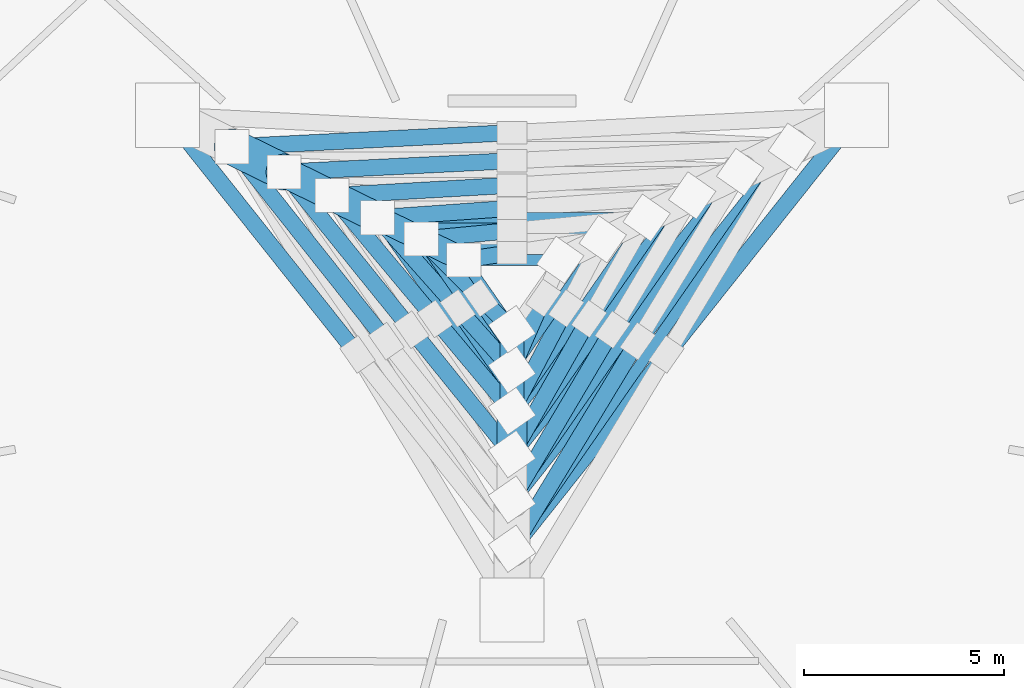
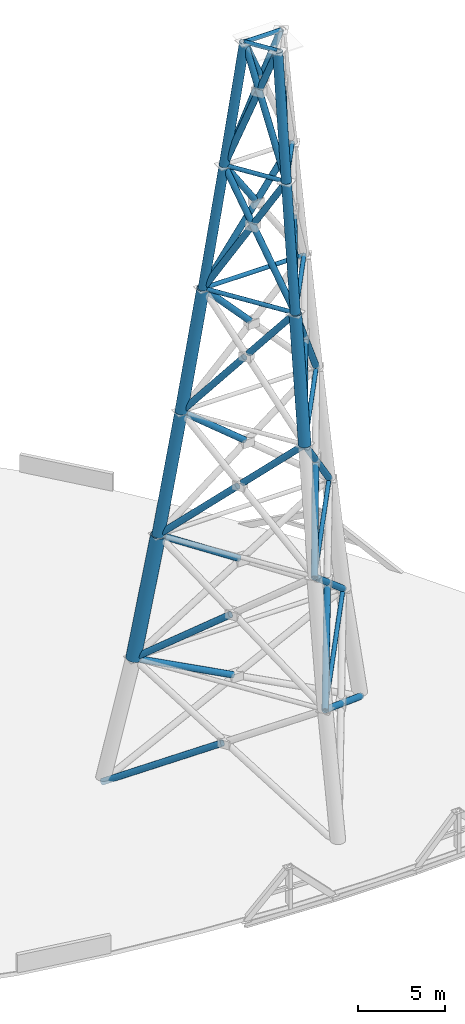
# One storey, part 2 of 7: 47 members.
"""IFC4 building model written with IfcOpenShell, lengths in metres."""

from ifc_helpers import new_model, si_unit, direction, frame, origin, origin_2d, place, context, subcontext, project, spatial, hollow_circle, extrude, source, transform, mapped, material, material_profile, profile_set, type_object, element, save


model = new_model("IFC4")

# Units and contexts
model_context = context("Model", 3, precision=1e-05, world=origin(), true_north=direction((0.0, 1.0)))
body_context = subcontext(model_context, "Body", "Model", "MODEL_VIEW")
ifc_project = project(units=[si_unit("LENGTHUNIT", "METRE"), si_unit("AREAUNIT", "SQUARE_METRE"), si_unit("VOLUMEUNIT", "CUBIC_METRE"), si_unit("PLANEANGLEUNIT", "RADIAN"), si_unit("MASSUNIT", "GRAM", prefix="KILO"), si_unit("THERMODYNAMICTEMPERATUREUNIT", "KELVIN"), si_unit("POWERUNIT", "WATT")], contexts=[model_context])

# Site, building, storey
site_placement = place(None, origin())
site = spatial("IfcSite", under=ifc_project, at=site_placement, CompositionType="ELEMENT")
building_placement = place(site_placement, origin())
building = spatial("IfcBuilding", under=site, at=building_placement, Name="Yunzhuo Pagoda Commons", CompositionType="ELEMENT")
storey_placement = place(building_placement, frame((0.0, 0.0, 401.760009765625)))
storey = spatial("IfcBuildingStorey", under=building, at=storey_placement, Name="Roof", CompositionType="ELEMENT", Elevation=401.760009765625)

# Members
ifc_material = material(Name="Structural steel Q420B", Category="steel")
ifc_material_profile_1 = material_profile(ifc_material, hollow_circle(Radius=0.202880859375, WallThickness=0.01611328125, at=origin_2d()), Name="Structural steel Q420B")
ifc_profile_set_1 = profile_set([ifc_material_profile_1], Name="Structural steel Q420B")
member_type_1 = type_object("IfcMemberType", Name="M-MB1 Mast Brace CHS 406x16", PredefinedType="BRACE", material=ifc_profile_set_1)
shared_shape_1 = source(origin(), body_context, "Body", "SweptSolid", [
    extrude(hollow_circle(Radius=0.202880859375, WallThickness=0.01611328125, at=origin_2d()), origin(), (0.0, 0.0, 1.0), 7.77783203125),
])
member_1_placement = place(storey_placement, frame((47.81201171875, 39.406005859375, 4.580810546875), z_axis=(-0.874198612199, -0.0441650789, 0.483555821218), x_axis=(0.05045629665, -0.99872626987, 0.0)))
element("IfcMember", 1, at=member_1_placement, inside=storey, type_object=member_type_1, Name="Broadcast mast upper split brace T1.1B2", PredefinedType="BRACE", context=body_context, shape_type="MappedRepresentation", body=[
    mapped(shared_shape_1, transform((0.0, 0.0, 0.0), scale=1.0)),
])
ifc_material_profile_2 = material_profile(ifc_material, hollow_circle(Radius=0.136474609375, WallThickness=0.011962890625, at=origin_2d()), Name="Structural steel Q420B")
ifc_profile_set_2 = profile_set([ifc_material_profile_2], Name="Structural steel Q420B")
member_type_2 = type_object("IfcMemberType", Name="M-MC1 Mast Collar CHS 273x12", PredefinedType="COLLAR", material=ifc_profile_set_2)
shared_shape_2 = source(origin(), body_context, "Body", "SweptSolid", [
    extrude(hollow_circle(Radius=0.136474609375, WallThickness=0.011962890625, at=origin_2d()), origin(), (0.0, 0.0, 1.0), 12.227294921875),
])
member_2_placement = place(storey_placement, frame((54.9873046875, 39.0625, 8.341796875), z_axis=(-0.571450535102, -0.820636512673, 0.0), x_axis=(0.820636512673, -0.571450535102, 0.0)))
element("IfcMember", 2, at=member_2_placement, inside=storey, type_object=member_type_2, Name="Broadcast mast collar ring T1.2", PredefinedType="COLLAR", context=body_context, shape_type="MappedRepresentation", body=[
    mapped(shared_shape_2, transform((0.0, 0.0, 0.0), scale=1.0)),
])
shared_shape_3 = source(origin(), body_context, "Body", "SweptSolid", [
    extrude(hollow_circle(Radius=0.202880859375, WallThickness=0.01611328125, at=origin_2d()), origin(), (0.0, 0.0, 1.0), 16.291259765625),
])
member_3_placement = place(storey_placement, frame((56.60009765625, 39.85009765625, -0.27978515625), z_axis=(-0.527897335238, -0.664270064207, 0.529216104485), x_axis=(0.782887665067, -0.622163084638, 0.0)))
element("IfcMember", 3, at=member_3_placement, inside=storey, type_object=member_type_1, Name="Broadcast mast diagonal brace T1.2A", PredefinedType="BRACE", context=body_context, shape_type="MappedRepresentation", body=[
    mapped(shared_shape_3, transform((0.0, 0.0, 0.0), scale=1.0)),
])
shared_shape_4 = source(origin(), body_context, "Body", "SweptSolid", [
    extrude(hollow_circle(Radius=0.202880859375, WallThickness=0.01611328125, at=origin_2d()), origin(), (0.0, 0.0, 1.0), 8.7734375),
])
member_4_placement = place(storey_placement, frame((39.39990234375, 39.85009765625, -0.27978515625), z_axis=(0.527916110977, -0.66427101814, 0.529196177452), x_axis=(0.782877321873, 0.622176099587, 0.0)))
element("IfcMember", 4, at=member_4_placement, inside=storey, type_object=member_type_1, Name="Broadcast mast lower split brace T1.3B1", PredefinedType="BRACE", context=body_context, shape_type="MappedRepresentation", body=[
    mapped(shared_shape_4, transform((0.0, 0.0, 0.0), scale=1.0)),
])
ifc_material_profile_3 = material_profile(ifc_material, hollow_circle(Radius=0.449951171875, WallThickness=0.031982421875, at=origin_2d()), Name="Structural steel Q420B")
ifc_profile_set_3 = profile_set([ifc_material_profile_3], Name="Structural steel Q420B")
member_type_3 = type_object("IfcMemberType", Name="M-ML1 Mast Strut CHS 900x32", PredefinedType="STRUT", material=ifc_profile_set_3)
shared_shape_5 = source(origin(), body_context, "Body", "SweptSolid", [
    extrude(hollow_circle(Radius=0.449951171875, WallThickness=0.031982421875, at=origin_2d()), origin(), (0.0, 0.0, 1.0), 8.740966796875),
])
member_5_placement = place(storey_placement, frame((41.0126953125, 39.0625, 8.341796875), z_axis=(0.148058641284, -0.072311605788, 0.986331420167), x_axis=(0.438854395735, 0.898558189181, 0.0)))
element("IfcMember", 5, at=member_5_placement, inside=storey, type_object=member_type_3, Name="Broadcast mast leg T2.1", PredefinedType="STRUT", context=body_context, shape_type="MappedRepresentation", body=[
    mapped(shared_shape_5, transform((0.0, 0.0, 0.0), scale=1.0)),
])
shared_shape_6 = source(origin(), body_context, "Body", "SweptSolid", [
    extrude(hollow_circle(Radius=0.202880859375, WallThickness=0.01611328125, at=origin_2d()), origin(), (0.0, 0.0, 1.0), 6.67529296875),
])
member_6_placement = place(storey_placement, frame((47.822509765625, 38.705078125, 13.21337890625), z_axis=(-0.826269774212, -0.041145250354, 0.561769818161), x_axis=(0.049734763126, -0.998762460917, 0.0)))
element("IfcMember", 6, at=member_6_placement, inside=storey, type_object=member_type_1, Name="Broadcast mast upper split brace T2.1B2", PredefinedType="BRACE", context=body_context, shape_type="MappedRepresentation", body=[
    mapped(shared_shape_6, transform((0.0, 0.0, 0.0), scale=1.0)),
])
shared_shape_7 = source(origin(), body_context, "Body", "SweptSolid", [
    extrude(hollow_circle(Radius=0.136474609375, WallThickness=0.011962890625, at=origin_2d()), origin(), (0.0, 0.0, 1.0), 9.96240234375),
])
member_7_placement = place(storey_placement, frame((53.693115234375, 38.430419921875, 16.96337890625), z_axis=(-0.571455739093, -0.820632888847, 0.0), x_axis=(0.820632888847, -0.571455739093, 0.0)))
element("IfcMember", 7, at=member_7_placement, inside=storey, type_object=member_type_2, Name="Broadcast mast collar ring T2.2", PredefinedType="COLLAR", context=body_context, shape_type="MappedRepresentation", body=[
    mapped(shared_shape_7, transform((0.0, 0.0, 0.0), scale=1.0)),
])
shared_shape_8 = source(origin(), body_context, "Body", "SweptSolid", [
    extrude(hollow_circle(Radius=0.202880859375, WallThickness=0.01611328125, at=origin_2d()), origin(), (0.0, 0.0, 1.0), 14.16796875),
])
member_8_placement = place(storey_placement, frame((54.9873046875, 39.0625, 8.341796875), z_axis=(-0.49318000466, -0.621661839557, 0.608531051173), x_axis=(0.783413091828, -0.621501349598, 0.0)))
element("IfcMember", 8, at=member_8_placement, inside=storey, type_object=member_type_1, Name="Broadcast mast diagonal brace T2.2A", PredefinedType="BRACE", context=body_context, shape_type="MappedRepresentation", body=[
    mapped(shared_shape_8, transform((0.0, 0.0, 0.0), scale=1.0)),
])
shared_shape_9 = source(origin(), body_context, "Body", "SweptSolid", [
    extrude(hollow_circle(Radius=0.202880859375, WallThickness=0.01611328125, at=origin_2d()), origin(), (0.0, 0.0, 1.0), 7.482421875),
])
member_9_placement = place(storey_placement, frame((48.0, 29.0283203125, 8.341796875), z_axis=(0.407532448622, 0.673064799854, 0.617171838726), x_axis=(-0.855414986359, 0.517943241207, 0.0)))
element("IfcMember", 9, at=member_9_placement, inside=storey, type_object=member_type_1, Name="Broadcast mast lower split brace T2.2B1", PredefinedType="BRACE", context=body_context, shape_type="MappedRepresentation", body=[
    mapped(shared_shape_9, transform((0.0, 0.0, 0.0), scale=1.0)),
])
shared_shape_10 = source(origin(), body_context, "Body", "SweptSolid", [
    extrude(hollow_circle(Radius=0.202880859375, WallThickness=0.01611328125, at=origin_2d()), origin(), (0.0, 0.0, 1.0), 7.592041015625),
])
member_10_placement = place(storey_placement, frame((41.0126953125, 39.0625, 8.341796875), z_axis=(0.49317275512, -0.621675515257, 0.608522955473), x_axis=(0.783424196646, 0.621487351529, 0.0)))
element("IfcMember", 10, at=member_10_placement, inside=storey, type_object=member_type_1, Name="Broadcast mast lower split brace T2.3B1", PredefinedType="BRACE", context=body_context, shape_type="MappedRepresentation", body=[
    mapped(shared_shape_10, transform((0.0, 0.0, 0.0), scale=1.0)),
])
ifc_material_profile_4 = material_profile(ifc_material, hollow_circle(Radius=0.375, WallThickness=0.028076171875, at=origin_2d()), Name="Structural steel Q420B")
ifc_profile_set_4 = profile_set([ifc_material_profile_4], Name="Structural steel Q420B")
member_type_4 = type_object("IfcMemberType", Name="M-ML2 Mast Strut CHS 750x28", PredefinedType="STRUT", material=ifc_profile_set_4)
shared_shape_11 = source(origin(), body_context, "Body", "SweptSolid", [
    extrude(hollow_circle(Radius=0.375, WallThickness=0.028076171875, at=origin_2d()), origin(), (0.0, 0.0, 1.0), 8.723876953125),
])
member_11_placement = place(storey_placement, frame((42.306884765625, 38.430419921875, 16.96337890625), z_axis=(0.137129876321, -0.066969753885, 0.988286622941), x_axis=(0.438831855094, 0.898569197644, 0.0)))
element("IfcMember", 11, at=member_11_placement, inside=storey, type_object=member_type_4, Name="Broadcast mast leg T3.1", PredefinedType="STRUT", context=body_context, shape_type="MappedRepresentation", body=[
    mapped(shared_shape_11, transform((0.0, 0.0, 0.0), scale=1.0)),
])
shared_shape_12 = source(origin(), body_context, "Body", "SweptSolid", [
    extrude(hollow_circle(Radius=0.202880859375, WallThickness=0.01611328125, at=origin_2d()), origin(), (0.0, 0.0, 1.0), 5.68115234375),
])
member_12_placement = place(storey_placement, frame((47.836181640625, 38.094482421875, 21.9189453125), z_axis=(-0.762689493673, -0.043703809729, 0.645286535778), x_axis=(0.057208385038, -0.998362259243, 0.0)))
element("IfcMember", 12, at=member_12_placement, inside=storey, type_object=member_type_1, Name="Broadcast mast upper split brace T3.1B2", PredefinedType="BRACE", context=body_context, shape_type="MappedRepresentation", body=[
    mapped(shared_shape_12, transform((0.0, 0.0, 0.0), scale=1.0)),
])
shared_shape_13 = source(origin(), body_context, "Body", "SweptSolid", [
    extrude(hollow_circle(Radius=0.136474609375, WallThickness=0.011962890625, at=origin_2d()), origin(), (0.0, 0.0, 1.0), 7.869140625),
])
member_13_placement = place(storey_placement, frame((52.496826171875, 37.84619140625, 25.5849609375), z_axis=(-0.57144711893, -0.820638891515, 0.0), x_axis=(0.820638891515, -0.57144711893, 0.0)))
element("IfcMember", 13, at=member_13_placement, inside=storey, type_object=member_type_2, Name="Broadcast mast collar ring T3.2", PredefinedType="COLLAR", context=body_context, shape_type="MappedRepresentation", body=[
    mapped(shared_shape_13, transform((0.0, 0.0, 0.0), scale=1.0)),
])
shared_shape_14 = source(origin(), body_context, "Body", "SweptSolid", [
    extrude(hollow_circle(Radius=0.202880859375, WallThickness=0.01611328125, at=origin_2d()), origin(), (0.0, 0.0, 1.0), 12.50341796875),
])
member_14_placement = place(storey_placement, frame((53.693115234375, 38.430419921875, 16.96337890625), z_axis=(-0.455328457234, -0.563210001306, 0.68954368278), x_axis=(0.777652182437, -0.628694745605, 0.0)))
element("IfcMember", 14, at=member_14_placement, inside=storey, type_object=member_type_1, Name="Broadcast mast diagonal brace T3.2A", PredefinedType="BRACE", context=body_context, shape_type="MappedRepresentation", body=[
    mapped(shared_shape_14, transform((0.0, 0.0, 0.0), scale=1.0)),
])
shared_shape_15 = source(origin(), body_context, "Body", "SweptSolid", [
    extrude(hollow_circle(Radius=0.202880859375, WallThickness=0.01611328125, at=origin_2d()), origin(), (0.0, 0.0, 1.0), 6.67724609375),
])
member_15_placement = place(storey_placement, frame((48.0, 30.2548828125, 16.96337890625), z_axis=(0.364532369337, 0.615390602639, 0.698863762037), x_axis=(-0.860379538463, 0.509653852919, 0.0)))
element("IfcMember", 15, at=member_15_placement, inside=storey, type_object=member_type_1, Name="Broadcast mast lower split brace T3.2B1", PredefinedType="BRACE", context=body_context, shape_type="MappedRepresentation", body=[
    mapped(shared_shape_15, transform((0.0, 0.0, 0.0), scale=1.0)),
])
shared_shape_16 = source(origin(), body_context, "Body", "SweptSolid", [
    extrude(hollow_circle(Radius=0.202880859375, WallThickness=0.01611328125, at=origin_2d()), origin(), (0.0, 0.0, 1.0), 6.7705078125),
])
member_16_placement = place(storey_placement, frame((42.306884765625, 38.430419921875, 16.96337890625), z_axis=(0.455354400656, -0.563171129985, 0.689558299315), x_axis=(0.777613452865, 0.628742648405, 0.0)))
element("IfcMember", 16, at=member_16_placement, inside=storey, type_object=member_type_1, Name="Broadcast mast lower split brace T3.3B1", PredefinedType="BRACE", context=body_context, shape_type="MappedRepresentation", body=[
    mapped(shared_shape_16, transform((0.0, 0.0, 0.0), scale=1.0)),
])
shared_shape_17 = source(origin(), body_context, "Body", "SweptSolid", [
    extrude(hollow_circle(Radius=0.202880859375, WallThickness=0.01611328125, at=origin_2d()), origin(), (0.0, 0.0, 1.0), 5.302734375),
])
member_17_placement = place(storey_placement, frame((45.585693359375, 34.375, 21.928466796875), z_axis=(0.455299128268, -0.563219156244, 0.689555571247), x_axis=(0.777676977253, 0.628664074884, 0.0)))
element("IfcMember", 17, at=member_17_placement, inside=storey, type_object=member_type_1, Name="Broadcast mast upper split brace T3.3B2", PredefinedType="BRACE", context=body_context, shape_type="MappedRepresentation", body=[
    mapped(shared_shape_17, transform((0.0, 0.0, 0.0), scale=1.0)),
])
shared_shape_18 = source(origin(), body_context, "Body", "SweptSolid", [
    extrude(hollow_circle(Radius=0.375, WallThickness=0.028076171875, at=origin_2d()), origin(), (0.0, 0.0, 1.0), 8.714111328125),
])
member_18_placement = place(storey_placement, frame((43.503173828125, 37.84619140625, 25.5849609375), z_axis=(0.130445316237, -0.063709761409, 0.989406431035), x_axis=(0.438857041245, 0.898556897113, 0.0)))
element("IfcMember", 18, at=member_18_placement, inside=storey, type_object=member_type_4, Name="Broadcast mast leg T4.1", PredefinedType="STRUT", context=body_context, shape_type="MappedRepresentation", body=[
    mapped(shared_shape_18, transform((0.0, 0.0, 0.0), scale=1.0)),
])
shared_shape_19 = source(origin(), body_context, "Body", "SweptSolid", [
    extrude(hollow_circle(Radius=0.136474609375, WallThickness=0.011962890625, at=origin_2d()), origin(), (0.0, 0.0, 1.0), 6.72021484375),
])
member_19_placement = place(storey_placement, frame((44.639892578125, 37.291015625, 34.206787109375), z_axis=(1.0, 0.0, 0.0), x_axis=(0.0, 1.0, 0.0)))
element("IfcMember", 19, at=member_19_placement, inside=storey, type_object=member_type_2, Name="Broadcast mast collar ring T4.1", PredefinedType="COLLAR", context=body_context, shape_type="MappedRepresentation", body=[
    mapped(shared_shape_19, transform((0.0, 0.0, 0.0), scale=1.0)),
])
shared_shape_20 = source(origin(), body_context, "Body", "SweptSolid", [
    extrude(hollow_circle(Radius=0.202880859375, WallThickness=0.01611328125, at=origin_2d()), origin(), (0.0, 0.0, 1.0), 4.779296875),
])
member_20_placement = place(storey_placement, frame((47.855224609375, 37.5185546875, 30.67822265625), z_axis=(-0.672774015538, -0.047610127751, 0.738314566938), x_axis=(0.07059035859, -0.997505389095, 0.0)))
element("IfcMember", 20, at=member_20_placement, inside=storey, type_object=member_type_1, Name="Broadcast mast upper split brace T4.1B2", PredefinedType="BRACE", context=body_context, shape_type="MappedRepresentation", body=[
    mapped(shared_shape_20, transform((0.0, 0.0, 0.0), scale=1.0)),
])
shared_shape_21 = source(origin(), body_context, "Body", "SweptSolid", [
    extrude(hollow_circle(Radius=0.136474609375, WallThickness=0.011962890625, at=origin_2d()), origin(), (0.0, 0.0, 1.0), 5.8798828125),
])
for number, where, z_axis, x_axis, name in (
    (21, (51.360107421875, 37.291015625, 34.206787109375), (-0.571459801433, -0.820630059982, 0.0), (0.820630059982, -0.571459801433, 0.0), "Broadcast mast collar ring T4.2"),
    (22, (48.0, 32.4658203125, 34.206787109375), (-0.571459801433, 0.820630059982, 0.0), (-0.820630059982, -0.571459801433, 0.0), "Broadcast mast collar ring T4.3"),
):
    element("IfcMember", number, at=place(storey_placement, frame(where, z_axis=z_axis, x_axis=x_axis)), inside=storey, type_object=member_type_2, Name=name, PredefinedType="COLLAR", context=body_context, shape_type="MappedRepresentation", body=[
        mapped(shared_shape_21, transform((0.0, 0.0, 0.0), scale=1.0)),
    ])
shared_shape_22 = source(origin(), body_context, "Body", "SweptSolid", [
    extrude(hollow_circle(Radius=0.202880859375, WallThickness=0.01611328125, at=origin_2d()), origin(), (0.0, 0.0, 1.0), 11.11328125),
])
member_21_placement = place(storey_placement, frame((52.496826171875, 37.84619140625, 25.5849609375), z_axis=(-0.404634170052, -0.484137458038, 0.775810614874), x_axis=(0.767295831559, -0.64129330799, 0.0)))
element("IfcMember", 23, at=member_21_placement, inside=storey, type_object=member_type_1, Name="Broadcast mast diagonal brace T4.2A", PredefinedType="BRACE", context=body_context, shape_type="MappedRepresentation", body=[
    mapped(shared_shape_22, transform((0.0, 0.0, 0.0), scale=1.0)),
])
shared_shape_23 = source(origin(), body_context, "Body", "SweptSolid", [
    extrude(hollow_circle(Radius=0.202880859375, WallThickness=0.01611328125, at=origin_2d()), origin(), (0.0, 0.0, 1.0), 6.06689453125),
])
member_22_placement = place(storey_placement, frame((48.0, 31.388427734375, 25.5849609375), z_axis=(0.306160397313, 0.537792790444, 0.785521944737), x_axis=(-0.869042364556, 0.494737676559, 0.0)))
element("IfcMember", 24, at=member_22_placement, inside=storey, type_object=member_type_1, Name="Broadcast mast lower split brace T4.2B1", PredefinedType="BRACE", context=body_context, shape_type="MappedRepresentation", body=[
    mapped(shared_shape_23, transform((0.0, 0.0, 0.0), scale=1.0)),
])
shared_shape_24 = source(origin(), body_context, "Body", "SweptSolid", [
    extrude(hollow_circle(Radius=0.375, WallThickness=0.028076171875, at=origin_2d()), origin(), (0.0, 0.0, 1.0), 8.68896484375),
])
member_23_placement = place(storey_placement, frame((48.0, 31.388427734375, 25.5849609375), z_axis=(0.0, 0.123996694061, 0.992282631039), x_axis=(-1.0, 0.0, 0.0)))
element("IfcMember", 25, at=member_23_placement, inside=storey, type_object=member_type_4, Name="Broadcast mast leg T4.3", PredefinedType="STRUT", context=body_context, shape_type="MappedRepresentation", body=[
    mapped(shared_shape_24, transform((0.0, 0.0, 0.0), scale=1.0)),
])
shared_shape_25 = source(origin(), body_context, "Body", "SweptSolid", [
    extrude(hollow_circle(Radius=0.202880859375, WallThickness=0.01611328125, at=origin_2d()), origin(), (0.0, 0.0, 1.0), 6.145751953125),
])
member_24_placement = place(storey_placement, frame((43.503173828125, 37.84619140625, 25.5849609375), z_axis=(0.404646444646, -0.484137661584, 0.775804085753), x_axis=(0.767286391865, 0.641304602243, 0.0)))
element("IfcMember", 26, at=member_24_placement, inside=storey, type_object=member_type_1, Name="Broadcast mast lower split brace T4.3B1", PredefinedType="BRACE", context=body_context, shape_type="MappedRepresentation", body=[
    mapped(shared_shape_25, transform((0.0, 0.0, 0.0), scale=1.0)),
])
shared_shape_26 = source(origin(), body_context, "Body", "SweptSolid", [
    extrude(hollow_circle(Radius=0.202880859375, WallThickness=0.01611328125, at=origin_2d()), origin(), (0.0, 0.0, 1.0), 4.537841796875),
])
member_25_placement = place(storey_placement, frame((46.163818359375, 34.66259765625, 30.686279296875), z_axis=(0.404643930331, -0.484109305295, 0.77582309206), x_axis=(0.767269869027, 0.641324370411, 0.0)))
element("IfcMember", 27, at=member_25_placement, inside=storey, type_object=member_type_1, Name="Broadcast mast upper split brace T4.3B2", PredefinedType="BRACE", context=body_context, shape_type="MappedRepresentation", body=[
    mapped(shared_shape_26, transform((0.0, 0.0, 0.0), scale=1.0)),
])
ifc_material_profile_5 = material_profile(ifc_material, hollow_circle(Radius=0.300048828125, WallThickness=0.02392578125, at=origin_2d()), Name="Structural steel Q420B")
ifc_profile_set_5 = profile_set([ifc_material_profile_5], Name="Structural steel Q420B")
member_type_5 = type_object("IfcMemberType", Name="M-ML3 Mast Strut CHS 600x24", PredefinedType="STRUT", material=ifc_profile_set_5)
shared_shape_27 = source(origin(), body_context, "Body", "SweptSolid", [
    extrude(hollow_circle(Radius=0.300048828125, WallThickness=0.02392578125, at=origin_2d()), origin(), (0.0, 0.0, 1.0), 8.707275390625),
])
member_26_placement = place(storey_placement, frame((44.639892578125, 37.291015625, 34.206787109375), z_axis=(0.125671082842, -0.061377510116, 0.990171490293), x_axis=(0.438854120913, 0.898558323404, 0.0)))
element("IfcMember", 28, at=member_26_placement, inside=storey, type_object=member_type_5, Name="Broadcast mast leg T5.1", PredefinedType="STRUT", context=body_context, shape_type="MappedRepresentation", body=[
    mapped(shared_shape_27, transform((0.0, 0.0, 0.0), scale=1.0)),
])
shared_shape_28 = source(origin(), body_context, "Body", "SweptSolid", [
    extrude(hollow_circle(Radius=0.202880859375, WallThickness=0.01611328125, at=origin_2d()), origin(), (0.0, 0.0, 1.0), 10.30859375),
])
member_27_placement = place(storey_placement, frame((44.639892578125, 37.291015625, 34.206787109375), z_axis=(0.545751364769, -0.051842116711, 0.836341941306), x_axis=(0.094566485937, 0.995518548163, 0.0)))
element("IfcMember", 29, at=member_27_placement, inside=storey, type_object=member_type_1, Name="Broadcast mast diagonal brace T5.1A", PredefinedType="BRACE", context=body_context, shape_type="MappedRepresentation", body=[
    mapped(shared_shape_28, transform((0.0, 0.0, 0.0), scale=1.0)),
])
shared_shape_29 = source(origin(), body_context, "Body", "SweptSolid", [
    extrude(hollow_circle(Radius=0.202880859375, WallThickness=0.01611328125, at=origin_2d()), origin(), (0.0, 0.0, 1.0), 3.93701171875),
])
member_28_placement = place(storey_placement, frame((47.883056640625, 36.960693359375, 39.535888671875), z_axis=(-0.545828273579, -0.051841903739, 0.83629176295), x_axis=(0.094552895417, -0.995519839063, 0.0)))
element("IfcMember", 30, at=member_28_placement, inside=storey, type_object=member_type_1, Name="Broadcast mast upper split brace T5.1B2", PredefinedType="BRACE", context=body_context, shape_type="MappedRepresentation", body=[
    mapped(shared_shape_29, transform((0.0, 0.0, 0.0), scale=1.0)),
])
shared_shape_30 = source(origin(), body_context, "Body", "SweptSolid", [
    extrude(hollow_circle(Radius=0.136474609375, WallThickness=0.011962890625, at=origin_2d()), origin(), (0.0, 0.0, 1.0), 3.96484375),
])
for number, where, z_axis, x_axis, name in (
    (31, (50.265869140625, 36.756591796875, 42.828369140625), (-0.571481166239, -0.82061518182, 0.0), (0.82061518182, -0.571481166239, 0.0), "Broadcast mast collar ring T5.2"),
    (32, (48.0, 33.5029296875, 42.828369140625), (-0.571481166239, 0.82061518182, 0.0), (-0.82061518182, -0.571481166239, 0.0), "Broadcast mast collar ring T5.3"),
):
    element("IfcMember", number, at=place(storey_placement, frame(where, z_axis=z_axis, x_axis=x_axis)), inside=storey, type_object=member_type_2, Name=name, PredefinedType="COLLAR", context=body_context, shape_type="MappedRepresentation", body=[
        mapped(shared_shape_30, transform((0.0, 0.0, 0.0), scale=1.0)),
    ])
shared_shape_31 = source(origin(), body_context, "Body", "SweptSolid", [
    extrude(hollow_circle(Radius=0.202880859375, WallThickness=0.01611328125, at=origin_2d()), origin(), (0.0, 0.0, 1.0), 5.69384765625),
])
member_29_placement = place(storey_placement, frame((48.0, 32.4658203125, 34.206787109375), z_axis=(0.229013592319, 0.43371512569, 0.871460822), x_axis=(-0.884293513233, 0.4669314537, 0.0)))
element("IfcMember", 33, at=member_29_placement, inside=storey, type_object=member_type_1, Name="Broadcast mast lower split brace T5.2B1", PredefinedType="BRACE", context=body_context, shape_type="MappedRepresentation", body=[
    mapped(shared_shape_31, transform((0.0, 0.0, 0.0), scale=1.0)),
])
shared_shape_32 = source(origin(), body_context, "Body", "SweptSolid", [
    extrude(hollow_circle(Radius=0.300048828125, WallThickness=0.02392578125, at=origin_2d()), origin(), (0.0, 0.0, 1.0), 8.683837890625),
])
member_30_placement = place(storey_placement, frame((48.0, 32.4658203125, 34.206787109375), z_axis=(0.0, 0.119431240607, 0.992842474296), x_axis=(-1.0, 0.0, 0.0)))
element("IfcMember", 34, at=member_30_placement, inside=storey, type_object=member_type_5, Name="Broadcast mast leg T5.3", PredefinedType="STRUT", context=body_context, shape_type="MappedRepresentation", body=[
    mapped(shared_shape_32, transform((0.0, 0.0, 0.0), scale=1.0)),
])
shared_shape_33 = source(origin(), body_context, "Body", "SweptSolid", [
    extrude(hollow_circle(Radius=0.202880859375, WallThickness=0.01611328125, at=origin_2d()), origin(), (0.0, 0.0, 1.0), 9.893310546875),
])
member_31_placement = place(storey_placement, frame((48.0, 32.4658203125, 34.206787109375), z_axis=(-0.229031636893, 0.433706606874, 0.871460319496), x_axis=(-0.884274534634, -0.466967394363, 0.0)))
element("IfcMember", 35, at=member_31_placement, inside=storey, type_object=member_type_1, Name="Broadcast mast diagonal brace T5.3A", PredefinedType="BRACE", context=body_context, shape_type="MappedRepresentation", body=[
    mapped(shared_shape_33, transform((0.0, 0.0, 0.0), scale=1.0)),
])
shared_shape_34 = source(origin(), body_context, "Body", "SweptSolid", [
    extrude(hollow_circle(Radius=0.202880859375, WallThickness=0.01611328125, at=origin_2d()), origin(), (0.0, 0.0, 1.0), 5.7568359375),
])
member_32_placement = place(storey_placement, frame((44.639892578125, 37.291015625, 34.206787109375), z_axis=(0.336053555181, -0.378887236495, 0.862271691563), x_axis=(0.748129616971, 0.663552617515, 0.0)))
element("IfcMember", 36, at=member_32_placement, inside=storey, type_object=member_type_1, Name="Broadcast mast lower split brace T5.3B1", PredefinedType="BRACE", context=body_context, shape_type="MappedRepresentation", body=[
    mapped(shared_shape_34, transform((0.0, 0.0, 0.0), scale=1.0)),
])
shared_shape_35 = source(origin(), body_context, "Body", "SweptSolid", [
    extrude(hollow_circle(Radius=0.202880859375, WallThickness=0.01611328125, at=origin_2d()), origin(), (0.0, 0.0, 1.0), 3.81201171875),
])
member_33_placement = place(storey_placement, frame((46.718994140625, 34.947265625, 39.54150390625), z_axis=(0.336054611806, -0.378902055163, 0.862264768199), x_axis=(0.748141464152, 0.663539260042, 0.0)))
element("IfcMember", 37, at=member_33_placement, inside=storey, type_object=member_type_1, Name="Broadcast mast upper split brace T5.3B2", PredefinedType="BRACE", context=body_context, shape_type="MappedRepresentation", body=[
    mapped(shared_shape_35, transform((0.0, 0.0, 0.0), scale=1.0)),
])
shared_shape_36 = source(origin(), body_context, "Body", "SweptSolid", [
    extrude(hollow_circle(Radius=0.300048828125, WallThickness=0.02392578125, at=origin_2d()), origin(), (0.0, 0.0, 1.0), 8.7021484375),
])
member_34_placement = place(storey_placement, frame((45.734130859375, 36.756591796875, 42.828369140625), z_axis=(0.122011685919, -0.059589059759, 0.99073825628), x_axis=(0.438846937391, 0.898561831786, 0.0)))
element("IfcMember", 38, at=member_34_placement, inside=storey, type_object=member_type_5, Name="Broadcast mast leg T6.1", PredefinedType="STRUT", context=body_context, shape_type="MappedRepresentation", body=[
    mapped(shared_shape_36, transform((0.0, 0.0, 0.0), scale=1.0)),
])
shared_shape_37 = source(origin(), body_context, "Body", "SweptSolid", [
    extrude(hollow_circle(Radius=0.136474609375, WallThickness=0.011962890625, at=origin_2d()), origin(), (0.0, 0.0, 1.0), 2.408203125),
])
member_35_placement = place(storey_placement, frame((46.7958984375, 36.238037109375, 51.449951171875), z_axis=(1.0, 0.0, 0.0), x_axis=(0.0, 1.0, 0.0)))
element("IfcMember", 39, at=member_35_placement, inside=storey, type_object=member_type_2, Name="Broadcast mast collar ring T6.1", PredefinedType="COLLAR", context=body_context, shape_type="MappedRepresentation", body=[
    mapped(shared_shape_37, transform((0.0, 0.0, 0.0), scale=1.0)),
])
shared_shape_38 = source(origin(), body_context, "Body", "SweptSolid", [
    extrude(hollow_circle(Radius=0.202880859375, WallThickness=0.01611328125, at=origin_2d()), origin(), (0.0, 0.0, 1.0), 9.30810546875),
])
member_36_placement = place(storey_placement, frame((45.734130859375, 36.756591796875, 42.828369140625), z_axis=(0.372789264657, -0.055709871113, 0.926242179139), x_axis=(0.147799399955, 0.98901735949, 0.0)))
element("IfcMember", 40, at=member_36_placement, inside=storey, type_object=member_type_1, Name="Broadcast mast diagonal brace T6.1A", PredefinedType="BRACE", context=body_context, shape_type="MappedRepresentation", body=[
    mapped(shared_shape_38, transform((0.0, 0.0, 0.0), scale=1.0)),
])
shared_shape_39 = source(origin(), body_context, "Body", "SweptSolid", [
    extrude(hollow_circle(Radius=0.202880859375, WallThickness=0.01611328125, at=origin_2d()), origin(), (0.0, 0.0, 1.0), 3.0146484375),
])
member_37_placement = place(storey_placement, frame((47.919921875, 36.406005859375, 48.65771484375), z_axis=(-0.372851427549, -0.055717155116, 0.926216719564), x_axis=(0.147794195996, -0.989018137159, 0.0)))
element("IfcMember", 41, at=member_37_placement, inside=storey, type_object=member_type_1, Name="Broadcast mast upper split brace T6.1B2", PredefinedType="BRACE", context=body_context, shape_type="MappedRepresentation", body=[
    mapped(shared_shape_39, transform((0.0, 0.0, 0.0), scale=1.0)),
])
shared_shape_40 = source(origin(), body_context, "Body", "SweptSolid", [
    extrude(hollow_circle(Radius=0.136474609375, WallThickness=0.011962890625, at=origin_2d()), origin(), (0.0, 0.0, 1.0), 2.10693359375),
])
member_38_placement = place(storey_placement, frame((48.0, 34.509033203125, 51.449951171875), z_axis=(-0.57148539356, 0.820612237873, 0.0), x_axis=(-0.820612237873, -0.57148539356, 0.0)))
element("IfcMember", 42, at=member_38_placement, inside=storey, type_object=member_type_2, Name="Broadcast mast collar ring T6.3", PredefinedType="COLLAR", context=body_context, shape_type="MappedRepresentation", body=[
    mapped(shared_shape_40, transform((0.0, 0.0, 0.0), scale=1.0)),
])
shared_shape_41 = source(origin(), body_context, "Body", "SweptSolid", [
    extrude(hollow_circle(Radius=0.202880859375, WallThickness=0.01611328125, at=origin_2d()), origin(), (0.0, 0.0, 1.0), 5.743408203125),
])
member_39_placement = place(storey_placement, frame((48.0, 33.5029296875, 42.828369140625), z_axis=(0.131985341508, 0.299719369717, 0.944853517241), x_axis=(-0.915192501518, 0.403016978756, 0.0)))
element("IfcMember", 43, at=member_39_placement, inside=storey, type_object=member_type_1, Name="Broadcast mast lower split brace T6.2B1", PredefinedType="BRACE", context=body_context, shape_type="MappedRepresentation", body=[
    mapped(shared_shape_41, transform((0.0, 0.0, 0.0), scale=1.0)),
])
shared_shape_42 = source(origin(), body_context, "Body", "SweptSolid", [
    extrude(hollow_circle(Radius=0.300048828125, WallThickness=0.02392578125, at=origin_2d()), origin(), (0.0, 0.0, 1.0), 8.68017578125),
])
member_40_placement = place(storey_placement, frame((48.0, 33.5029296875, 42.828369140625), z_axis=(0.0, 0.115909373297, 0.993259793398), x_axis=(-1.0, 0.0, 0.0)))
element("IfcMember", 44, at=member_40_placement, inside=storey, type_object=member_type_5, Name="Broadcast mast leg T6.3", PredefinedType="STRUT", context=body_context, shape_type="MappedRepresentation", body=[
    mapped(shared_shape_42, transform((0.0, 0.0, 0.0), scale=1.0)),
])
shared_shape_43 = source(origin(), body_context, "Body", "SweptSolid", [
    extrude(hollow_circle(Radius=0.202880859375, WallThickness=0.01611328125, at=origin_2d()), origin(), (0.0, 0.0, 1.0), 9.124755859375),
])
member_41_placement = place(storey_placement, frame((48.0, 33.5029296875, 42.828369140625), z_axis=(-0.13195893082, 0.299743694642, 0.944849489654), x_axis=(-0.915234304179, -0.402922037687, 0.0)))
element("IfcMember", 45, at=member_41_placement, inside=storey, type_object=member_type_1, Name="Broadcast mast diagonal brace T6.3A", PredefinedType="BRACE", context=body_context, shape_type="MappedRepresentation", body=[
    mapped(shared_shape_43, transform((0.0, 0.0, 0.0), scale=1.0)),
])
shared_shape_44 = source(origin(), body_context, "Body", "SweptSolid", [
    extrude(hollow_circle(Radius=0.202880859375, WallThickness=0.01611328125, at=origin_2d()), origin(), (0.0, 0.0, 1.0), 5.788330078125),
])
member_42_placement = place(storey_placement, frame((45.734130859375, 36.756591796875, 42.828369140625), z_axis=(0.246490512526, -0.244508128185, 0.937794328457), x_axis=(0.70424613026, 0.709955905682, 0.0)))
element("IfcMember", 46, at=member_42_placement, inside=storey, type_object=member_type_1, Name="Broadcast mast lower split brace T6.3B1", PredefinedType="BRACE", context=body_context, shape_type="MappedRepresentation", body=[
    mapped(shared_shape_44, transform((0.0, 0.0, 0.0), scale=1.0)),
])
shared_shape_45 = source(origin(), body_context, "Body", "SweptSolid", [
    extrude(hollow_circle(Radius=0.202880859375, WallThickness=0.01611328125, at=origin_2d()), origin(), (0.0, 0.0, 1.0), 2.97509765625),
])
member_43_placement = place(storey_placement, frame((47.266845703125, 35.236328125, 48.659912109375), z_axis=(0.246436106737, -0.244466587402, 0.937819456473), x_axis=(0.7042641752, 0.709938005413, 0.0)))
element("IfcMember", 47, at=member_43_placement, inside=storey, type_object=member_type_1, Name="Broadcast mast upper split brace T6.3B2", PredefinedType="BRACE", context=body_context, shape_type="MappedRepresentation", body=[
    mapped(shared_shape_45, transform((0.0, 0.0, 0.0), scale=1.0)),
])

save(model, "model.ifc")
